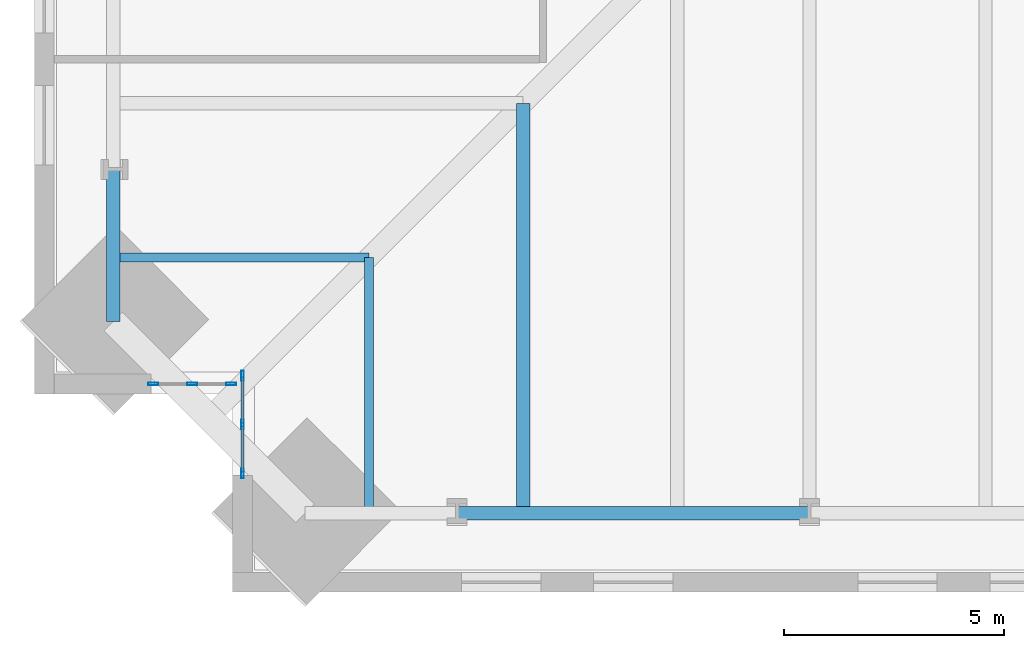
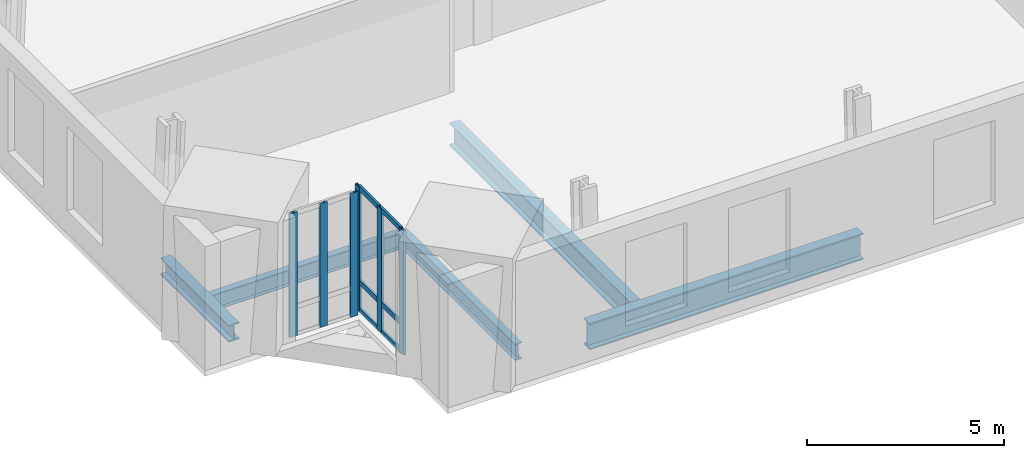
# One storey, part 2 of 18: 12 members, 5 beams, 2 elements without a shape of their own.
"""IFC4 building model written with IfcOpenShell, lengths in metres."""

from ifc_helpers import new_model, si_unit, direction, frame, origin, origin_2d, place, context, subcontext, project, spatial, hollow_rectangle, i_section, extrude, material, material_profile, profile_set, type_object, element, aggregate, save


model = new_model("IFC4")

# Units and contexts
model_context = context("Model", 3, precision=1e-05, world=origin(), true_north=direction((0.0, 1.0)))
body_context = subcontext(model_context, "Body", "Model", "MODEL_VIEW")
ifc_project = project(units=[si_unit("LENGTHUNIT", "METRE"), si_unit("AREAUNIT", "SQUARE_METRE"), si_unit("VOLUMEUNIT", "CUBIC_METRE"), si_unit("PLANEANGLEUNIT", "RADIAN"), si_unit("MASSUNIT", "GRAM", prefix="KILO")], contexts=[model_context])

# Site, building, storey
site_placement = place(None, origin())
site = spatial("IfcSite", under=ifc_project, at=site_placement, CompositionType="ELEMENT")
building_placement = place(site_placement, origin())
building = spatial("IfcBuilding", under=site, at=building_placement, Name="Peilmerk Tower", CompositionType="ELEMENT")
storey_placement = place(building_placement, frame((0.0, 0.0, 175.800048828125)))
storey = spatial("IfcBuildingStorey", under=building, at=storey_placement, Name="L37", CompositionType="ELEMENT", Elevation=175.800048828125)

# Beams
ifc_material_1 = material(Name="Steel S355", Category="steel")
ifc_material_profile_1 = material_profile(ifc_material_1, i_section(OverallWidth=0.302978515625, OverallDepth=0.81396484375, WebThickness=0.02099609375, FlangeThickness=0.0400390625, at=origin_2d()), Name="HEM 800")
ifc_profile_set_1 = profile_set([ifc_material_profile_1], Name="Steel S355")
beam_type_1 = type_object("IfcBeamType", Name="B15 HEM 800 edge beam", PredefinedType="SPANDREL", material=ifc_profile_set_1)
beam_1_placement = place(storey_placement, frame((-16.0, -23.80810546875, -0.5771484375), z_axis=(1.0, 0.0, 0.0), x_axis=(0.0, 1.0, 0.0)))
element("IfcBeam", 1, at=beam_1_placement, inside=storey, type_object=beam_type_1, Name="Edge beam L37", PredefinedType="SPANDREL", context=body_context, shape_type="SweptSolid", body=[
    extrude(i_section(OverallWidth=0.302978515625, OverallDepth=0.81396484375, WebThickness=0.02099609375, FlangeThickness=0.0400390625, at=origin_2d()), origin(), (0.0, 0.0, 1.0), 8.0),
])
ifc_material_profile_2 = material_profile(ifc_material_1, i_section(OverallWidth=0.300048828125, OverallDepth=0.68994140625, WebThickness=0.014404296875, FlangeThickness=0.027099609375, at=origin_2d()), Name="HEA 700")
ifc_profile_set_2 = profile_set([ifc_material_profile_2], Name="Steel S355")
beam_type_2 = type_object("IfcBeamType", Name="B16 HEA 700 floor beam", PredefinedType="BEAM", material=ifc_profile_set_2)
beam_2_placement = place(storey_placement, frame((-14.5, -14.5, -0.51513671875), z_axis=(0.0, -1.0, 0.0), x_axis=(1.0, 0.0, 0.0)))
element("IfcBeam", 2, at=beam_2_placement, inside=storey, type_object=beam_type_2, Name="Floor beam L37", PredefinedType="BEAM", context=body_context, shape_type="SweptSolid", body=[
    extrude(i_section(OverallWidth=0.300048828125, OverallDepth=0.68994140625, WebThickness=0.014404296875, FlangeThickness=0.027099609375, at=origin_2d()), origin(), (0.0, 0.0, 1.0), 9.30810546875),
])
ifc_material_profile_3 = material_profile(ifc_material_1, i_section(OverallWidth=0.199951171875, OverallDepth=0.5, WebThickness=0.01025390625, FlangeThickness=0.01611328125, at=origin_2d()), Name="IPE 500")
ifc_profile_set_3 = profile_set([ifc_material_profile_3], Name="Steel S355")
beam_type_3 = type_object("IfcBeamType", Name="B32 IPE 500 floor beam", PredefinedType="BEAM", material=ifc_profile_set_3)
for number, where, z_axis, x_axis, name in (
    (3, (-18.0, -18.0, -0.420166015625), (0.0, -1.0, 0.0), (1.0, 0.0, 0.0), "Floor beam L37"),
    (4, (-18.0, -18.0, -0.420166015625), (-1.0, 0.0, 0.0), (0.0, -1.0, 0.0), "Floor beam L37"),
):
    element("IfcBeam", number, at=place(storey_placement, frame(where, z_axis=z_axis, x_axis=x_axis)), inside=storey, type_object=beam_type_3, Name=name, PredefinedType="BEAM", context=body_context, shape_type="SweptSolid", body=[
        extrude(i_section(OverallWidth=0.199951171875, OverallDepth=0.5, WebThickness=0.01025390625, FlangeThickness=0.01611328125, at=origin_2d()), origin(), (0.0, 0.0, 1.0), 5.80810546875),
    ])
ifc_material_profile_4 = material_profile(ifc_material_1, i_section(OverallWidth=0.305908203125, OverallDepth=0.52392578125, WebThickness=0.02099609375, FlangeThickness=0.0400390625, at=origin_2d()), Name="HEM 500")
ifc_profile_set_4 = profile_set([ifc_material_profile_4], Name="Steel S355")
beam_type_4 = type_object("IfcBeamType", Name="B33 HEM 500 edge beam", PredefinedType="SPANDREL", material=ifc_profile_set_4)
beam_3_placement = place(storey_placement, frame((-23.80810546875, -16.0, -0.43212890625), z_axis=(0.0, -1.0, 0.0), x_axis=(1.0, 0.0, 0.0)))
element("IfcBeam", 5, at=beam_3_placement, inside=storey, type_object=beam_type_4, Name="Edge beam L37", PredefinedType="SPANDREL", context=body_context, shape_type="SweptSolid", body=[
    extrude(i_section(OverallWidth=0.305908203125, OverallDepth=0.52392578125, WebThickness=0.02099609375, FlangeThickness=0.0400390625, at=origin_2d()), origin(), (0.0, 0.0, 1.0), 3.4580078125),
])

# Curtain wall, members
ifc_material_2 = material(Name="Aluminium stick curtain wall", Category="aluminium")
curtain_wall_type = type_object("IfcCurtainWallType", Name="CW3 stick curtain wall, 2250 module", PredefinedType="NOTDEFINED", material=ifc_material_2)
curtain_wall_1_placement = place(storey_placement, origin())
curtain_wall_1 = element("IfcCurtainWall", 6, at=curtain_wall_1_placement, inside=storey, type_object=curtain_wall_type, Name="Curtain wall CW3 SWA L37", PredefinedType="NOTDEFINED")
ifc_material_3 = material(Name="Aluminium EN AW-6063 T6", Category="aluminium")
ifc_material_profile_5 = material_profile(ifc_material_3, hollow_rectangle(XDim=0.06494140625, YDim=0.22509765625, WallThickness=0.00390625, at=origin_2d()), Name="AL 225x65x4")
ifc_profile_set_5 = profile_set([ifc_material_profile_5], Name="Aluminium EN AW-6063 T6")
member_type_1 = type_object("IfcMemberType", Name="CW3-M AL 225x65x4 mullion", PredefinedType="MULLION", material=ifc_profile_set_5)
member_1_placement = place(storey_placement, frame((-20.875, -20.6826171875, 0.0), z_axis=(0.0, 0.0, 1.0), x_axis=(1.0, 0.0, 0.0)))
member_1 = element("IfcMember", 7, at=member_1_placement, type_object=member_type_1, Name="CW3 mullion 1", PredefinedType="MULLION", context=body_context, shape_type="SweptSolid", body=[
    extrude(hollow_rectangle(XDim=0.06494140625, YDim=0.22509765625, WallThickness=0.00390625, at=origin_2d()), origin(), (0.0, 0.0, 1.0), 3.829833984375),
])
member_2_placement = place(storey_placement, frame((-20.875, -21.79443359375, 0.0), z_axis=(0.0, 0.0, 1.0), x_axis=(1.0, 0.0, 0.0)))
member_2 = element("IfcMember", 8, at=member_2_placement, type_object=member_type_1, Name="CW3 mullion 2", PredefinedType="MULLION", context=body_context, shape_type="SweptSolid", body=[
    extrude(hollow_rectangle(XDim=0.06494140625, YDim=0.22509765625, WallThickness=0.00390625, at=origin_2d()), origin(), (0.0, 0.0, 1.0), 3.829833984375),
])
member_3_placement = place(storey_placement, frame((-20.875, -22.90625, 0.0), z_axis=(0.0, 0.0, 1.0), x_axis=(1.0, 0.0, 0.0)))
member_3 = element("IfcMember", 9, at=member_3_placement, type_object=member_type_1, Name="CW3 mullion 3", PredefinedType="MULLION", context=body_context, shape_type="SweptSolid", body=[
    extrude(hollow_rectangle(XDim=0.06494140625, YDim=0.22509765625, WallThickness=0.00390625, at=origin_2d()), origin(), (0.0, 0.0, 1.0), 3.829833984375),
])

curtain_wall_2_placement = place(storey_placement, origin())
curtain_wall_2 = element("IfcCurtainWall", 10, at=curtain_wall_2_placement, inside=storey, type_object=curtain_wall_type, Name="Curtain wall CW3 SWB L37", PredefinedType="NOTDEFINED")
member_4_placement = place(storey_placement, frame((-21.132568359375, -20.875, 0.0), z_axis=(0.0, 0.0, 1.0), x_axis=(0.0, -1.0, 0.0)))
member_4 = element("IfcMember", 11, at=member_4_placement, type_object=member_type_1, Name="CW3 mullion 1", PredefinedType="MULLION", context=body_context, shape_type="SweptSolid", body=[
    extrude(hollow_rectangle(XDim=0.06494140625, YDim=0.22509765625, WallThickness=0.00390625, at=origin_2d()), origin(), (0.0, 0.0, 1.0), 3.829833984375),
])
member_5_placement = place(storey_placement, frame((-22.019287109375, -20.875, 0.0), z_axis=(0.0, 0.0, 1.0), x_axis=(0.0, -1.0, 0.0)))
member_5 = element("IfcMember", 12, at=member_5_placement, type_object=member_type_1, Name="CW3 mullion 2", PredefinedType="MULLION", context=body_context, shape_type="SweptSolid", body=[
    extrude(hollow_rectangle(XDim=0.06494140625, YDim=0.22509765625, WallThickness=0.00390625, at=origin_2d()), origin(), (0.0, 0.0, 1.0), 3.829833984375),
])
member_6_placement = place(storey_placement, frame((-22.90625, -20.875, 0.0), z_axis=(0.0, 0.0, 1.0), x_axis=(0.0, -1.0, 0.0)))
member_6 = element("IfcMember", 13, at=member_6_placement, type_object=member_type_1, Name="CW3 mullion 3", PredefinedType="MULLION", context=body_context, shape_type="SweptSolid", body=[
    extrude(hollow_rectangle(XDim=0.06494140625, YDim=0.22509765625, WallThickness=0.00390625, at=origin_2d()), origin(), (0.0, 0.0, 1.0), 3.829833984375),
])
aggregate(curtain_wall_2, [member_4, member_5, member_6])

# Member
ifc_material_profile_6 = material_profile(ifc_material_3, hollow_rectangle(XDim=0.06494140625, YDim=0.14990234375, WallThickness=0.0029296875, at=origin_2d()), Name="AL 150x65x3")
ifc_profile_set_6 = profile_set([ifc_material_profile_6], Name="Aluminium EN AW-6063 T6")
member_type_2 = type_object("IfcMemberType", Name="CW3-T AL 150x65x3 transom", PredefinedType="USERDEFINED", material=ifc_profile_set_6)
member_7_placement = place(storey_placement, frame((-20.875, -20.715087890625, 0.032470703125), z_axis=(0.0, -1.0, 0.0), x_axis=(1.0, 0.0, 0.0)))
member_7 = element("IfcMember", 14, at=member_7_placement, type_object=member_type_2, Name="CW3 transom 1.1", ObjectType="TRANSOM", PredefinedType="USERDEFINED", context=body_context, shape_type="SweptSolid", body=[
    extrude(hollow_rectangle(XDim=0.06494140625, YDim=0.14990234375, WallThickness=0.0029296875, at=origin_2d()), origin(), (0.0, 0.0, 1.0), 1.046630859375),
])

member_8_placement = place(storey_placement, frame((-20.875, -20.715087890625, 0.89990234375), z_axis=(0.0, -1.0, 0.0), x_axis=(1.0, 0.0, 0.0)))
member_8 = element("IfcMember", 15, at=member_8_placement, type_object=member_type_2, Name="CW3 transom 1.2", ObjectType="TRANSOM", PredefinedType="USERDEFINED", context=body_context, shape_type="SweptSolid", body=[
    extrude(hollow_rectangle(XDim=0.06494140625, YDim=0.14990234375, WallThickness=0.0029296875, at=origin_2d()), origin(), (0.0, 0.0, 1.0), 1.046630859375),
])

member_9_placement = place(storey_placement, frame((-20.875, -20.715087890625, 3.79736328125), z_axis=(0.0, -1.0, 0.0), x_axis=(1.0, 0.0, 0.0)))
member_9 = element("IfcMember", 16, at=member_9_placement, type_object=member_type_2, Name="CW3 transom 1.3", ObjectType="TRANSOM", PredefinedType="USERDEFINED", context=body_context, shape_type="SweptSolid", body=[
    extrude(hollow_rectangle(XDim=0.06494140625, YDim=0.14990234375, WallThickness=0.0029296875, at=origin_2d()), origin(), (0.0, 0.0, 1.0), 1.046630859375),
])

member_10_placement = place(storey_placement, frame((-20.875, -21.826904296875, 0.032470703125), z_axis=(0.0, -1.0, 0.0), x_axis=(1.0, 0.0, 0.0)))
member_10 = element("IfcMember", 17, at=member_10_placement, type_object=member_type_2, Name="CW3 transom 2.1", ObjectType="TRANSOM", PredefinedType="USERDEFINED", context=body_context, shape_type="SweptSolid", body=[
    extrude(hollow_rectangle(XDim=0.06494140625, YDim=0.14990234375, WallThickness=0.0029296875, at=origin_2d()), origin(), (0.0, 0.0, 1.0), 1.046875),
])

member_11_placement = place(storey_placement, frame((-20.875, -21.826904296875, 0.89990234375), z_axis=(0.0, -1.0, 0.0), x_axis=(1.0, 0.0, 0.0)))
member_11 = element("IfcMember", 18, at=member_11_placement, type_object=member_type_2, Name="CW3 transom 2.2", ObjectType="TRANSOM", PredefinedType="USERDEFINED", context=body_context, shape_type="SweptSolid", body=[
    extrude(hollow_rectangle(XDim=0.06494140625, YDim=0.14990234375, WallThickness=0.0029296875, at=origin_2d()), origin(), (0.0, 0.0, 1.0), 1.046875),
])

member_12_placement = place(storey_placement, frame((-20.875, -21.826904296875, 3.79736328125), z_axis=(0.0, -1.0, 0.0), x_axis=(1.0, 0.0, 0.0)))
member_12 = element("IfcMember", 19, at=member_12_placement, type_object=member_type_2, Name="CW3 transom 2.3", ObjectType="TRANSOM", PredefinedType="USERDEFINED", context=body_context, shape_type="SweptSolid", body=[
    extrude(hollow_rectangle(XDim=0.06494140625, YDim=0.14990234375, WallThickness=0.0029296875, at=origin_2d()), origin(), (0.0, 0.0, 1.0), 1.046875),
])

aggregate(curtain_wall_1, [member_1, member_2, member_3, member_7, member_8, member_9, member_10, member_11, member_12])

save(model, "model.ifc")
